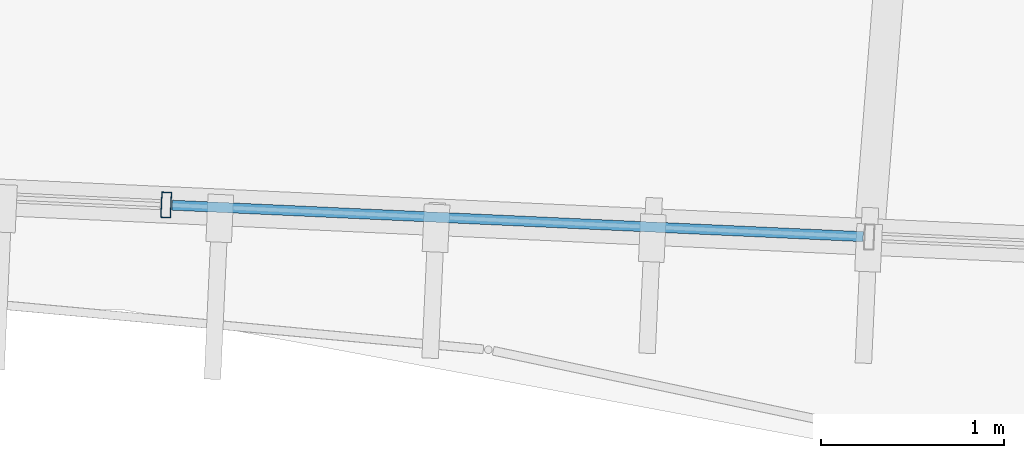
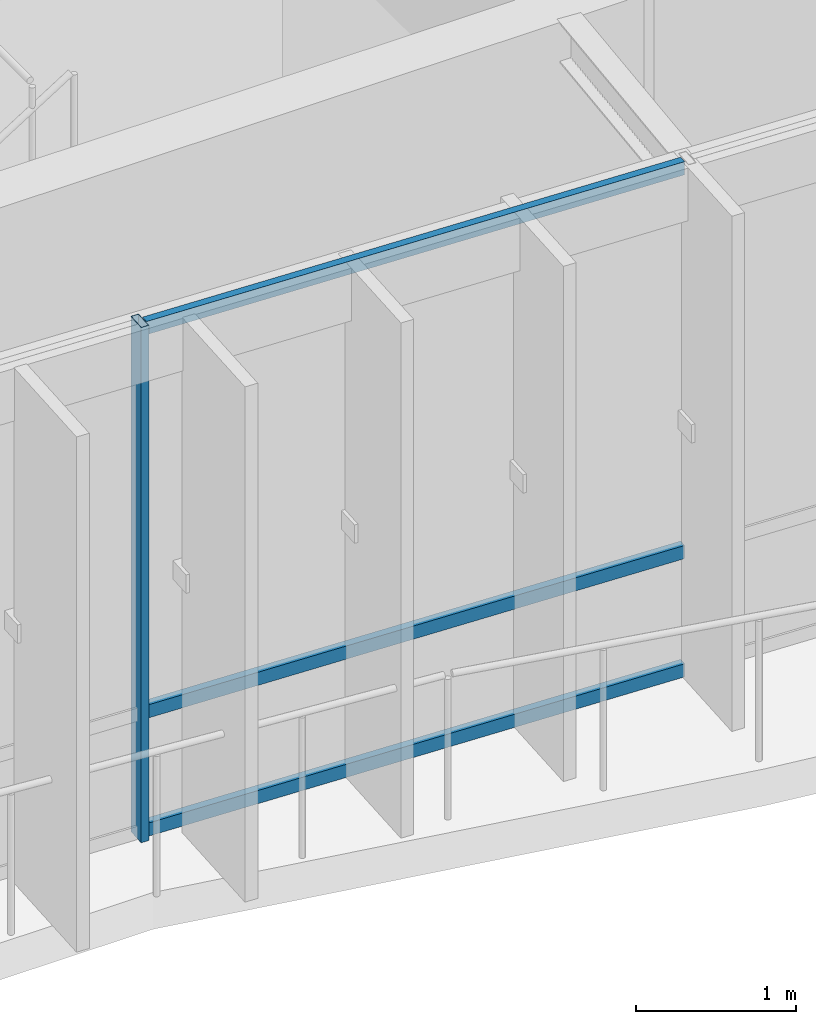
# One storey, part 14 of 79: 4 members, 1 element without a shape of its own.
"""IFC4 building model written with IfcOpenShell, lengths in metres."""

from ifc_helpers import new_model, si_unit, direction, frame, origin, origin_2d, place, context, subcontext, project, spatial, hollow_rectangle, extrude, material, material_profile, profile_set, type_object, element, aggregate, save


model = new_model("IFC4")

# Units and contexts
model_context = context("Model", 3, precision=1e-05, world=origin(), true_north=direction((0.0, 1.0)))
body_context = subcontext(model_context, "Body", "Model", "MODEL_VIEW")
ifc_project = project(units=[si_unit("LENGTHUNIT", "METRE"), si_unit("AREAUNIT", "SQUARE_METRE"), si_unit("VOLUMEUNIT", "CUBIC_METRE"), si_unit("PLANEANGLEUNIT", "RADIAN"), si_unit("MASSUNIT", "GRAM", prefix="KILO"), si_unit("THERMODYNAMICTEMPERATUREUNIT", "KELVIN"), si_unit("POWERUNIT", "WATT")], contexts=[model_context])

# Site, building, storey
site_placement = place(None, origin())
site = spatial("IfcSite", under=ifc_project, at=site_placement, CompositionType="ELEMENT")
building_placement = place(site_placement, origin())
building = spatial("IfcBuilding", under=site, at=building_placement, Name="Darbajah Civic Hall", CompositionType="ELEMENT")
storey_placement = place(building_placement, frame((0.0, 0.0, 22.199951171875)))
storey = spatial("IfcBuildingStorey", under=building, at=storey_placement, Name="L05", CompositionType="ELEMENT", Elevation=22.199951171875)

# Curtain wall, members
ifc_material_1 = material(Name="Anodised Bronze Aluminium and Low-E Glazing", Category="aluminium")
curtain_wall_type = type_object("IfcCurtainWallType", Name="Unitised Curtain Wall CW-84 15400x3900", PredefinedType="USERDEFINED", material=ifc_material_1)
curtain_wall_placement = place(storey_placement, origin())
curtain_wall = element("IfcCurtainWall", 1, at=curtain_wall_placement, inside=storey, type_object=curtain_wall_type, Name="L05 unitised curtain wall CW-V1O-L05-14", ObjectType="UNITISED CURTAIN WALL", PredefinedType="USERDEFINED")
ifc_material_2 = material(Name="Anodised Bronze Aluminium", Category="aluminium")
ifc_material_profile_1 = material_profile(ifc_material_2, hollow_rectangle(XDim=0.054931640625, YDim=0.139892578125, WallThickness=0.003173828125, at=origin_2d()), Name="ALU MULLION 55x140")
ifc_profile_set_1 = profile_set([ifc_material_profile_1], Name="Anodised Bronze Aluminium")
member_type_1 = type_object("IfcMemberType", Name="ALU MULLION 55x140", PredefinedType="MULLION", material=ifc_profile_set_1)
member_1_placement = place(storey_placement, frame((81.309326171875, 60.927734375, 0.0), z_axis=(0.0, 0.0, 1.0), x_axis=(0.998962637241, -0.045537340693, 0.0)))
member_1 = element("IfcMember", 2, at=member_1_placement, type_object=member_type_1, Name="CW-V1O-L05-14 mullion 2", PredefinedType="MULLION", context=body_context, shape_type="SweptSolid", body=[
    extrude(hollow_rectangle(XDim=0.054931640625, YDim=0.139892578125, WallThickness=0.003173828125, at=origin_2d()), origin(), (0.0, 0.0, 1.0), 3.920166015625),
])
ifc_material_profile_2 = material_profile(ifc_material_2, hollow_rectangle(XDim=0.054931640625, YDim=0.10009765625, WallThickness=0.0029296875, at=origin_2d()), Name="ALU TRANSOM 55x100")
ifc_profile_set_2 = profile_set([ifc_material_profile_2], Name="Anodised Bronze Aluminium")
member_type_2 = type_object("IfcMemberType", Name="ALU TRANSOM 55x100", PredefinedType="USERDEFINED", material=ifc_profile_set_2)
member_2_placement = place(storey_placement, frame((81.341796875, 60.92626953125, 0.050048828125), z_axis=(0.998964405176, -0.045498540548, 0.0), x_axis=(0.045498540548, 0.998964405176, 0.0)))
member_2 = element("IfcMember", 3, at=member_2_placement, type_object=member_type_2, Name="CW-V1O-L05-14 transom 2.1", ObjectType="TRANSOM", PredefinedType="USERDEFINED", context=body_context, shape_type="SweptSolid", body=[
    extrude(hollow_rectangle(XDim=0.054931640625, YDim=0.10009765625, WallThickness=0.0029296875, at=origin_2d()), origin(), (0.0, 0.0, 1.0), 3.777587890625),
])
member_3_placement = place(storey_placement, frame((81.341796875, 60.92626953125, 0.949951171875), z_axis=(0.998964405176, -0.045498540548, 0.0), x_axis=(0.045498540548, 0.998964405176, 0.0)))
member_3 = element("IfcMember", 4, at=member_3_placement, type_object=member_type_2, Name="CW-V1O-L05-14 transom 2.2", ObjectType="TRANSOM", PredefinedType="USERDEFINED", context=body_context, shape_type="SweptSolid", body=[
    extrude(hollow_rectangle(XDim=0.054931640625, YDim=0.10009765625, WallThickness=0.0029296875, at=origin_2d()), origin(), (0.0, 0.0, 1.0), 3.777587890625),
])
member_4_placement = place(storey_placement, frame((81.341796875, 60.92626953125, 3.8701171875), z_axis=(0.998964405176, -0.045498540548, 0.0), x_axis=(0.045498540548, 0.998964405176, 0.0)))
member_4 = element("IfcMember", 5, at=member_4_placement, type_object=member_type_2, Name="CW-V1O-L05-14 transom 2.3", ObjectType="TRANSOM", PredefinedType="USERDEFINED", context=body_context, shape_type="SweptSolid", body=[
    extrude(hollow_rectangle(XDim=0.054931640625, YDim=0.10009765625, WallThickness=0.0029296875, at=origin_2d()), origin(), (0.0, 0.0, 1.0), 3.777587890625),
])
aggregate(curtain_wall, [member_1, member_2, member_3, member_4])

save(model, "model.ifc")
